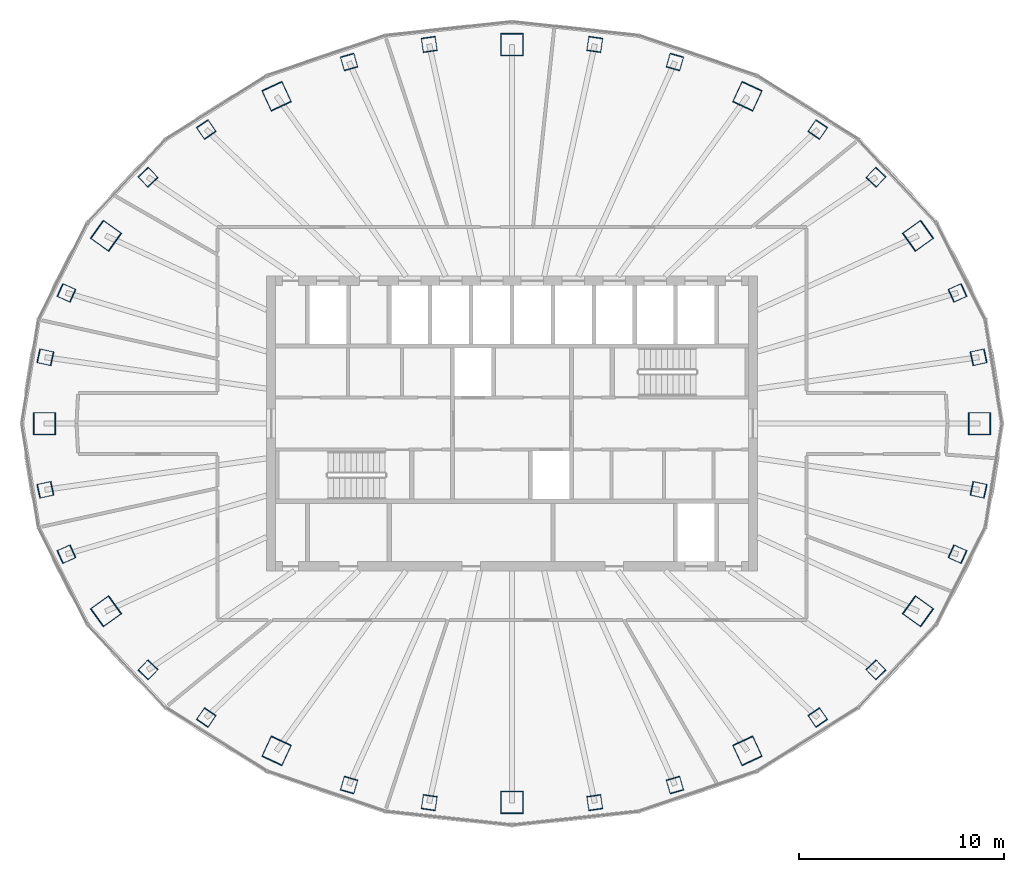
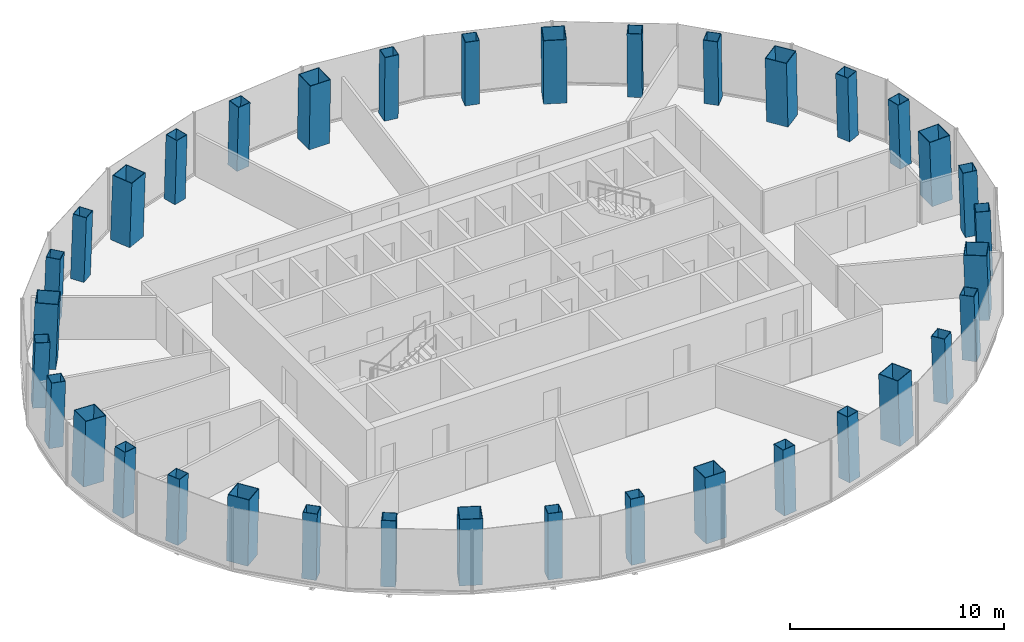
# One storey, part 1 of 10: 36 columns.
"""IFC4 building model written with IfcOpenShell, lengths in metres."""

from ifc_helpers import new_model, si_unit, direction, frame, origin, origin_2d, place, context, subcontext, project, spatial, hollow_rectangle, extrude, material, material_profile, profile_set, type_object, element, save


model = new_model("IFC4")

# Units and contexts
model_context = context("Model", 3, precision=1e-05, world=origin(), true_north=direction((0.0, 1.0)))
body_context = subcontext(model_context, "Body", "Model", "MODEL_VIEW")
ifc_project = project(units=[si_unit("LENGTHUNIT", "METRE"), si_unit("AREAUNIT", "SQUARE_METRE"), si_unit("VOLUMEUNIT", "CUBIC_METRE"), si_unit("PLANEANGLEUNIT", "RADIAN"), si_unit("MASSUNIT", "GRAM", prefix="KILO")], contexts=[model_context])

# Site, building, storey
site_placement = place(None, origin())
site = spatial("IfcSite", under=ifc_project, at=site_placement, CompositionType="ELEMENT")
building_placement = place(site_placement, origin())
building = spatial("IfcBuilding", under=site, at=building_placement, Name="Siaravel Broadcast Tower", CompositionType="ELEMENT")
storey_placement = place(building_placement, frame((0.0, 0.0, 160.800048828125)))
storey = spatial("IfcBuildingStorey", under=building, at=storey_placement, Name="L38", CompositionType="ELEMENT", Elevation=160.800048828125)

# Columns
ifc_material = material(Name="Concrete C60/75", Category="concrete")
ifc_material_profile_1 = material_profile(ifc_material, hollow_rectangle(XDim=1.10009765625, YDim=1.10009765625, WallThickness=0.031982421875, at=origin_2d()))
ifc_profile_set_1 = profile_set([ifc_material_profile_1], Name="Concrete C60/75")
column_type_1 = type_object("IfcColumnType", Name="COL-CFT BOX 1100x1100x32", PredefinedType="COLUMN", material=ifc_profile_set_1)
column_1_placement = place(storey_placement, frame((22.876953125, 0.0, 0.0), z_axis=(-0.034621265, 0.0, 0.999400504), x_axis=(0.0, -1.0, 0.0)))
element("IfcColumn", 1, at=column_1_placement, inside=storey, type_object=column_type_1, Name="Megacolumn MC01", PredefinedType="COLUMN", context=body_context, shape_type="SweptSolid", body=[
    extrude(hollow_rectangle(XDim=1.10009765625, YDim=1.10009765625, WallThickness=0.031982421875, at=origin_2d()), origin(), (0.0, 0.0, 1.0), 3.7021484375),
])
column_2_placement = place(storey_placement, frame((19.865478515625, 9.18603515625, 0.0), z_axis=(-0.029940695, -0.014113015, 0.999452039), x_axis=(0.582027844, -0.813147061, 0.005953624)))
element("IfcColumn", 2, at=column_2_placement, inside=storey, type_object=column_type_1, Name="Megacolumn MC02", PredefinedType="COLUMN", context=body_context, shape_type="SweptSolid", body=[
    extrude(hollow_rectangle(XDim=1.10009765625, YDim=1.10009765625, WallThickness=0.031982421875, at=origin_2d()), origin(), (0.0, 0.0, 1.0), 3.701904296875),
])
column_3_placement = place(storey_placement, frame((11.518310546875, 16.01416015625, 0.0), z_axis=(-0.017346173, -0.024535271, 0.999548463), x_axis=(0.907408702, -0.420214156, 0.005432453)))
element("IfcColumn", 3, at=column_3_placement, inside=storey, type_object=column_type_1, Name="Megacolumn MC03", PredefinedType="COLUMN", context=body_context, shape_type="SweptSolid", body=[
    extrude(hollow_rectangle(XDim=1.10009765625, YDim=1.10009765625, WallThickness=0.031982421875, at=origin_2d()), origin(), (0.0, 0.0, 1.0), 3.70166015625),
])
column_4_placement = place(storey_placement, frame((0.0, 18.539794921875, 0.0), z_axis=(0.0, -0.02836206, 0.999597716), x_axis=(1.0, 0.0, 0.0)))
element("IfcColumn", 4, at=column_4_placement, inside=storey, type_object=column_type_1, Name="Megacolumn MC04", PredefinedType="COLUMN", context=body_context, shape_type="SweptSolid", body=[
    extrude(hollow_rectangle(XDim=1.10009765625, YDim=1.10009765625, WallThickness=0.031982421875, at=origin_2d()), origin(), (0.0, 0.0, 1.0), 3.701416015625),
])
column_5_placement = place(storey_placement, frame((-11.518310546875, 16.01416015625, 0.0), z_axis=(0.017346173, -0.024535271, 0.999548463), x_axis=(0.907408702, 0.420214156, -0.005432453)))
element("IfcColumn", 5, at=column_5_placement, inside=storey, type_object=column_type_1, Name="Megacolumn MC05", PredefinedType="COLUMN", context=body_context, shape_type="SweptSolid", body=[
    extrude(hollow_rectangle(XDim=1.10009765625, YDim=1.10009765625, WallThickness=0.031982421875, at=origin_2d()), origin(), (0.0, 0.0, 1.0), 3.70166015625),
])
column_6_placement = place(storey_placement, frame((-19.865478515625, 9.18603515625, 0.0), z_axis=(0.029940695, -0.014113015, 0.999452039), x_axis=(0.582027844, 0.813147061, -0.005953624)))
element("IfcColumn", 6, at=column_6_placement, inside=storey, type_object=column_type_1, Name="Megacolumn MC06", PredefinedType="COLUMN", context=body_context, shape_type="SweptSolid", body=[
    extrude(hollow_rectangle(XDim=1.10009765625, YDim=1.10009765625, WallThickness=0.031982421875, at=origin_2d()), origin(), (0.0, 0.0, 1.0), 3.701904296875),
])
column_7_placement = place(storey_placement, frame((-22.876953125, 0.0, 0.0), z_axis=(0.034621265, 0.0, 0.999400504), x_axis=(0.0, 1.0, 0.0)))
element("IfcColumn", 7, at=column_7_placement, inside=storey, type_object=column_type_1, Name="Megacolumn MC07", PredefinedType="COLUMN", context=body_context, shape_type="SweptSolid", body=[
    extrude(hollow_rectangle(XDim=1.10009765625, YDim=1.10009765625, WallThickness=0.031982421875, at=origin_2d()), origin(), (0.0, 0.0, 1.0), 3.7021484375),
])
column_8_placement = place(storey_placement, frame((-19.865478515625, -9.18603515625, 0.0), z_axis=(0.029940695, 0.014113015, 0.999452039), x_axis=(-0.582027844, 0.813147061, 0.005953624)))
element("IfcColumn", 8, at=column_8_placement, inside=storey, type_object=column_type_1, Name="Megacolumn MC08", PredefinedType="COLUMN", context=body_context, shape_type="SweptSolid", body=[
    extrude(hollow_rectangle(XDim=1.10009765625, YDim=1.10009765625, WallThickness=0.031982421875, at=origin_2d()), origin(), (0.0, 0.0, 1.0), 3.701904296875),
])
column_9_placement = place(storey_placement, frame((-11.518310546875, -16.01416015625, 0.0), z_axis=(0.017346173, 0.024535271, 0.999548463), x_axis=(-0.907408702, 0.420214156, 0.005432453)))
element("IfcColumn", 9, at=column_9_placement, inside=storey, type_object=column_type_1, Name="Megacolumn MC09", PredefinedType="COLUMN", context=body_context, shape_type="SweptSolid", body=[
    extrude(hollow_rectangle(XDim=1.10009765625, YDim=1.10009765625, WallThickness=0.031982421875, at=origin_2d()), origin(), (0.0, 0.0, 1.0), 3.70166015625),
])
column_10_placement = place(storey_placement, frame((0.0, -18.539794921875, 0.0), z_axis=(0.0, 0.02836206, 0.999597716), x_axis=(-1.0, 0.0, 0.0)))
element("IfcColumn", 10, at=column_10_placement, inside=storey, type_object=column_type_1, Name="Megacolumn MC10", PredefinedType="COLUMN", context=body_context, shape_type="SweptSolid", body=[
    extrude(hollow_rectangle(XDim=1.10009765625, YDim=1.10009765625, WallThickness=0.031982421875, at=origin_2d()), origin(), (0.0, 0.0, 1.0), 3.701416015625),
])
column_11_placement = place(storey_placement, frame((11.518310546875, -16.01416015625, 0.0), z_axis=(-0.017346173, 0.024535271, 0.999548463), x_axis=(-0.907408702, -0.420214156, -0.005432453)))
element("IfcColumn", 11, at=column_11_placement, inside=storey, type_object=column_type_1, Name="Megacolumn MC11", PredefinedType="COLUMN", context=body_context, shape_type="SweptSolid", body=[
    extrude(hollow_rectangle(XDim=1.10009765625, YDim=1.10009765625, WallThickness=0.031982421875, at=origin_2d()), origin(), (0.0, 0.0, 1.0), 3.70166015625),
])
column_12_placement = place(storey_placement, frame((19.865478515625, -9.18603515625, 0.0), z_axis=(-0.029940695, 0.014113015, 0.999452039), x_axis=(-0.582027844, -0.813147061, -0.005953624)))
element("IfcColumn", 12, at=column_12_placement, inside=storey, type_object=column_type_1, Name="Megacolumn MC12", PredefinedType="COLUMN", context=body_context, shape_type="SweptSolid", body=[
    extrude(hollow_rectangle(XDim=1.10009765625, YDim=1.10009765625, WallThickness=0.031982421875, at=origin_2d()), origin(), (0.0, 0.0, 1.0), 3.701904296875),
])
ifc_material_profile_2 = material_profile(ifc_material, hollow_rectangle(XDim=0.699951171875, YDim=0.699951171875, WallThickness=0.02490234375, at=origin_2d()))
ifc_profile_set_2 = profile_set([ifc_material_profile_2], Name="Concrete C60/75")
column_type_2 = type_object("IfcColumnType", Name="COL-CFT BOX 700x700x25", PredefinedType="COLUMN", material=ifc_profile_set_2)
for number, where, z_axis, x_axis, name in (
    (13, (22.83056640625, 3.2421875, 0.0), (-0.034093903, -0.004945924, 0.999406396), (0.213332947, -0.976976503, 0.002442751), "Perimeter column C01"),
    (14, (21.7998046875, 6.392333984375, 0.0), (-0.032511791, -0.009694185, 0.999424337), (0.410140213, -0.9120114, 0.004495774), "Perimeter column C02"),
):
    element("IfcColumn", number, at=place(storey_placement, frame(where, z_axis=z_axis, x_axis=x_axis)), inside=storey, type_object=column_type_2, Name=name, PredefinedType="COLUMN", context=body_context, shape_type="SweptSolid", body=[
        extrude(hollow_rectangle(XDim=0.699951171875, YDim=0.699951171875, WallThickness=0.02490234375, at=origin_2d()), origin(), (0.0, 0.0, 1.0), 3.7021484375),
    ])
column_13_placement = place(storey_placement, frame((17.80859375, 12.0517578125, 0.0), z_axis=(-0.026512179, -0.018202391, 0.999482755), x_axis=(0.720165314, -0.693772357, 0.006468181)))
element("IfcColumn", 15, at=column_13_placement, inside=storey, type_object=column_type_2, Name="Perimeter column C03", PredefinedType="COLUMN", context=body_context, shape_type="SweptSolid", body=[
    extrude(hollow_rectangle(XDim=0.699951171875, YDim=0.699951171875, WallThickness=0.02490234375, at=origin_2d()), origin(), (0.0, 0.0, 1.0), 3.701904296875),
])
column_14_placement = place(storey_placement, frame((14.958984375, 14.385498046875, 0.0), z_axis=(-0.022226187, -0.02163261, 0.999518898), x_axis=(0.827428984, -0.561535629, 0.006246116)))
element("IfcColumn", 16, at=column_14_placement, inside=storey, type_object=column_type_2, Name="Perimeter column C04", PredefinedType="COLUMN", context=body_context, shape_type="SweptSolid", body=[
    extrude(hollow_rectangle(XDim=0.699951171875, YDim=0.699951171875, WallThickness=0.02490234375, at=origin_2d()), origin(), (0.0, 0.0, 1.0), 3.70166015625),
])
for number, where, z_axis, x_axis, name in (
    (17, (7.971923828125, 17.688720703125, 0.0), (-0.011806266, -0.026646544, 0.999575197), (0.960087155, -0.279674036, 0.003884348), "Perimeter column C05"),
    (18, (4.04931640625, 18.549560546875, 0.0), (-0.006068129, -0.027900201, 0.999592295), (0.989831197, -0.142232357, 0.002038943), "Perimeter column C06"),
    (19, (-4.04931640625, 18.549560546875, 0.0), (0.006068129, -0.027900201, 0.999592295), (0.989831197, 0.142232357, -0.002038943), "Perimeter column C07"),
    (20, (-7.971923828125, 17.688720703125, 0.0), (0.011806266, -0.026646544, 0.999575197), (0.960087155, 0.279674036, -0.003884348), "Perimeter column C08"),
):
    element("IfcColumn", number, at=place(storey_placement, frame(where, z_axis=z_axis, x_axis=x_axis)), inside=storey, type_object=column_type_2, Name=name, PredefinedType="COLUMN", context=body_context, shape_type="SweptSolid", body=[
        extrude(hollow_rectangle(XDim=0.699951171875, YDim=0.699951171875, WallThickness=0.02490234375, at=origin_2d()), origin(), (0.0, 0.0, 1.0), 3.701416015625),
    ])
column_15_placement = place(storey_placement, frame((-14.958984375, 14.385498046875, 0.0), z_axis=(0.022226187, -0.02163261, 0.999518898), x_axis=(0.827428984, 0.561535629, -0.006246116)))
element("IfcColumn", 21, at=column_15_placement, inside=storey, type_object=column_type_2, Name="Perimeter column C09", PredefinedType="COLUMN", context=body_context, shape_type="SweptSolid", body=[
    extrude(hollow_rectangle(XDim=0.699951171875, YDim=0.699951171875, WallThickness=0.02490234375, at=origin_2d()), origin(), (0.0, 0.0, 1.0), 3.70166015625),
])
column_16_placement = place(storey_placement, frame((-17.80859375, 12.0517578125, 0.0), z_axis=(0.026512179, -0.018202391, 0.999482755), x_axis=(0.720165314, 0.693772357, -0.006468181)))
element("IfcColumn", 22, at=column_16_placement, inside=storey, type_object=column_type_2, Name="Perimeter column C10", PredefinedType="COLUMN", context=body_context, shape_type="SweptSolid", body=[
    extrude(hollow_rectangle(XDim=0.699951171875, YDim=0.699951171875, WallThickness=0.02490234375, at=origin_2d()), origin(), (0.0, 0.0, 1.0), 3.701904296875),
])
for number, where, z_axis, x_axis, name in (
    (23, (-21.7998046875, 6.392333984375, 0.0), (0.032511791, -0.009694185, 0.999424337), (0.410140213, 0.9120114, -0.004495774), "Perimeter column C11"),
    (24, (-22.83056640625, 3.2421875, 0.0), (0.034093903, -0.004945924, 0.999406396), (0.213332947, 0.976976503, -0.002442751), "Perimeter column C12"),
    (25, (-22.83056640625, -3.2421875, 0.0), (0.034093903, 0.004945924, 0.999406396), (-0.213332947, 0.976976503, 0.002442751), "Perimeter column C13"),
    (26, (-21.7998046875, -6.392333984375, 0.0), (0.032511791, 0.009694185, 0.999424337), (-0.410140213, 0.9120114, 0.004495774), "Perimeter column C14"),
):
    element("IfcColumn", number, at=place(storey_placement, frame(where, z_axis=z_axis, x_axis=x_axis)), inside=storey, type_object=column_type_2, Name=name, PredefinedType="COLUMN", context=body_context, shape_type="SweptSolid", body=[
        extrude(hollow_rectangle(XDim=0.699951171875, YDim=0.699951171875, WallThickness=0.02490234375, at=origin_2d()), origin(), (0.0, 0.0, 1.0), 3.7021484375),
    ])
column_17_placement = place(storey_placement, frame((-17.80859375, -12.0517578125, 0.0), z_axis=(0.026512179, 0.018202391, 0.999482755), x_axis=(-0.720165314, 0.693772357, 0.006468181)))
element("IfcColumn", 27, at=column_17_placement, inside=storey, type_object=column_type_2, Name="Perimeter column C15", PredefinedType="COLUMN", context=body_context, shape_type="SweptSolid", body=[
    extrude(hollow_rectangle(XDim=0.699951171875, YDim=0.699951171875, WallThickness=0.02490234375, at=origin_2d()), origin(), (0.0, 0.0, 1.0), 3.701904296875),
])
column_18_placement = place(storey_placement, frame((-14.958984375, -14.385498046875, 0.0), z_axis=(0.022226187, 0.02163261, 0.999518898), x_axis=(-0.827428984, 0.561535629, 0.006246116)))
element("IfcColumn", 28, at=column_18_placement, inside=storey, type_object=column_type_2, Name="Perimeter column C16", PredefinedType="COLUMN", context=body_context, shape_type="SweptSolid", body=[
    extrude(hollow_rectangle(XDim=0.699951171875, YDim=0.699951171875, WallThickness=0.02490234375, at=origin_2d()), origin(), (0.0, 0.0, 1.0), 3.70166015625),
])
for number, where, z_axis, x_axis, name in (
    (29, (-7.971923828125, -17.688720703125, 0.0), (0.011806266, 0.026646544, 0.999575197), (-0.960087155, 0.279674036, 0.003884348), "Perimeter column C17"),
    (30, (-4.04931640625, -18.549560546875, 0.0), (0.006068129, 0.027900201, 0.999592295), (-0.989831197, 0.142232357, 0.002038943), "Perimeter column C18"),
    (31, (4.04931640625, -18.549560546875, 0.0), (-0.006068129, 0.027900201, 0.999592295), (-0.989831197, -0.142232357, -0.002038943), "Perimeter column C19"),
    (32, (7.971923828125, -17.688720703125, 0.0), (-0.011806266, 0.026646544, 0.999575197), (-0.960087155, -0.279674036, -0.003884348), "Perimeter column C20"),
):
    element("IfcColumn", number, at=place(storey_placement, frame(where, z_axis=z_axis, x_axis=x_axis)), inside=storey, type_object=column_type_2, Name=name, PredefinedType="COLUMN", context=body_context, shape_type="SweptSolid", body=[
        extrude(hollow_rectangle(XDim=0.699951171875, YDim=0.699951171875, WallThickness=0.02490234375, at=origin_2d()), origin(), (0.0, 0.0, 1.0), 3.701416015625),
    ])
column_19_placement = place(storey_placement, frame((14.958984375, -14.385498046875, 0.0), z_axis=(-0.022226187, 0.02163261, 0.999518898), x_axis=(-0.827428984, -0.561535629, -0.006246116)))
element("IfcColumn", 33, at=column_19_placement, inside=storey, type_object=column_type_2, Name="Perimeter column C21", PredefinedType="COLUMN", context=body_context, shape_type="SweptSolid", body=[
    extrude(hollow_rectangle(XDim=0.699951171875, YDim=0.699951171875, WallThickness=0.02490234375, at=origin_2d()), origin(), (0.0, 0.0, 1.0), 3.70166015625),
])
column_20_placement = place(storey_placement, frame((17.80859375, -12.0517578125, 0.0), z_axis=(-0.026512179, 0.018202391, 0.999482755), x_axis=(-0.720165314, -0.693772357, -0.006468181)))
element("IfcColumn", 34, at=column_20_placement, inside=storey, type_object=column_type_2, Name="Perimeter column C22", PredefinedType="COLUMN", context=body_context, shape_type="SweptSolid", body=[
    extrude(hollow_rectangle(XDim=0.699951171875, YDim=0.699951171875, WallThickness=0.02490234375, at=origin_2d()), origin(), (0.0, 0.0, 1.0), 3.701904296875),
])
for number, where, z_axis, x_axis, name in (
    (35, (21.7998046875, -6.392333984375, 0.0), (-0.032511791, 0.009694185, 0.999424337), (-0.410140213, -0.9120114, -0.004495774), "Perimeter column C23"),
    (36, (22.83056640625, -3.2421875, 0.0), (-0.034093903, 0.004945924, 0.999406396), (-0.213332947, -0.976976503, -0.002442751), "Perimeter column C24"),
):
    element("IfcColumn", number, at=place(storey_placement, frame(where, z_axis=z_axis, x_axis=x_axis)), inside=storey, type_object=column_type_2, Name=name, PredefinedType="COLUMN", context=body_context, shape_type="SweptSolid", body=[
        extrude(hollow_rectangle(XDim=0.699951171875, YDim=0.699951171875, WallThickness=0.02490234375, at=origin_2d()), origin(), (0.0, 0.0, 1.0), 3.7021484375),
    ])

save(model, "model.ifc")
